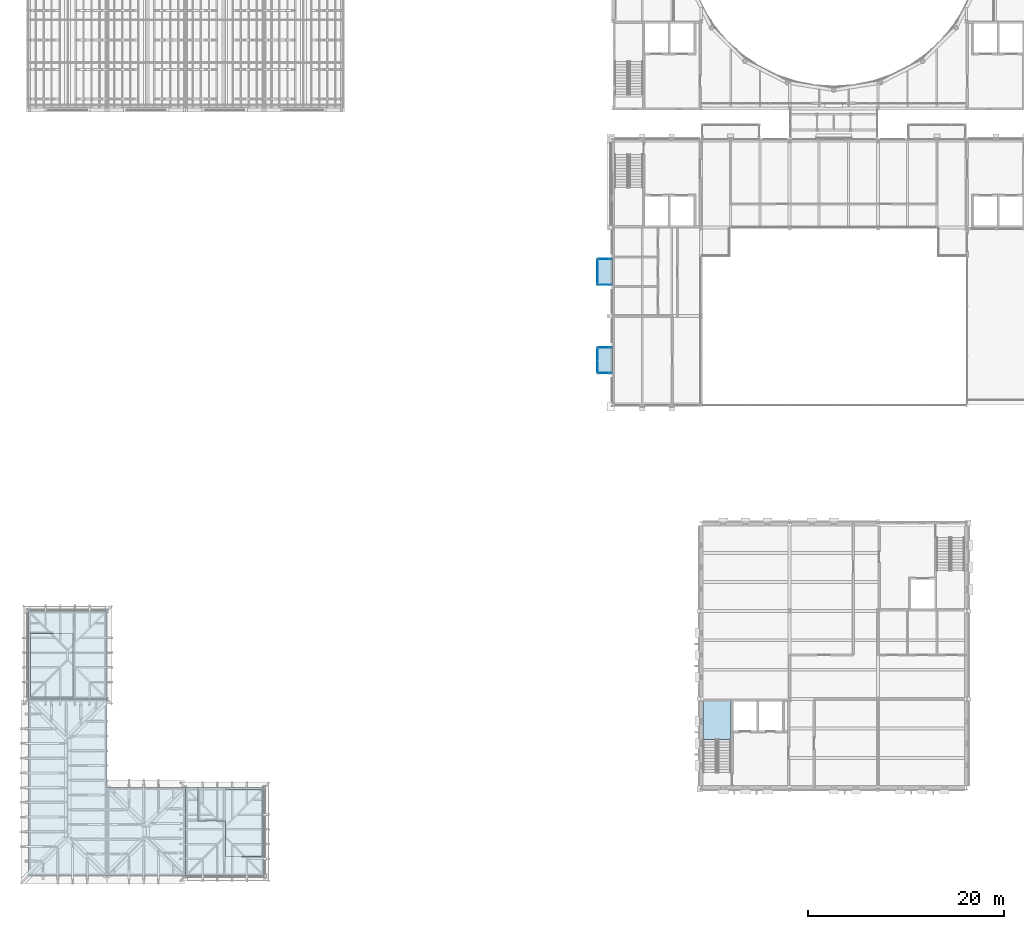
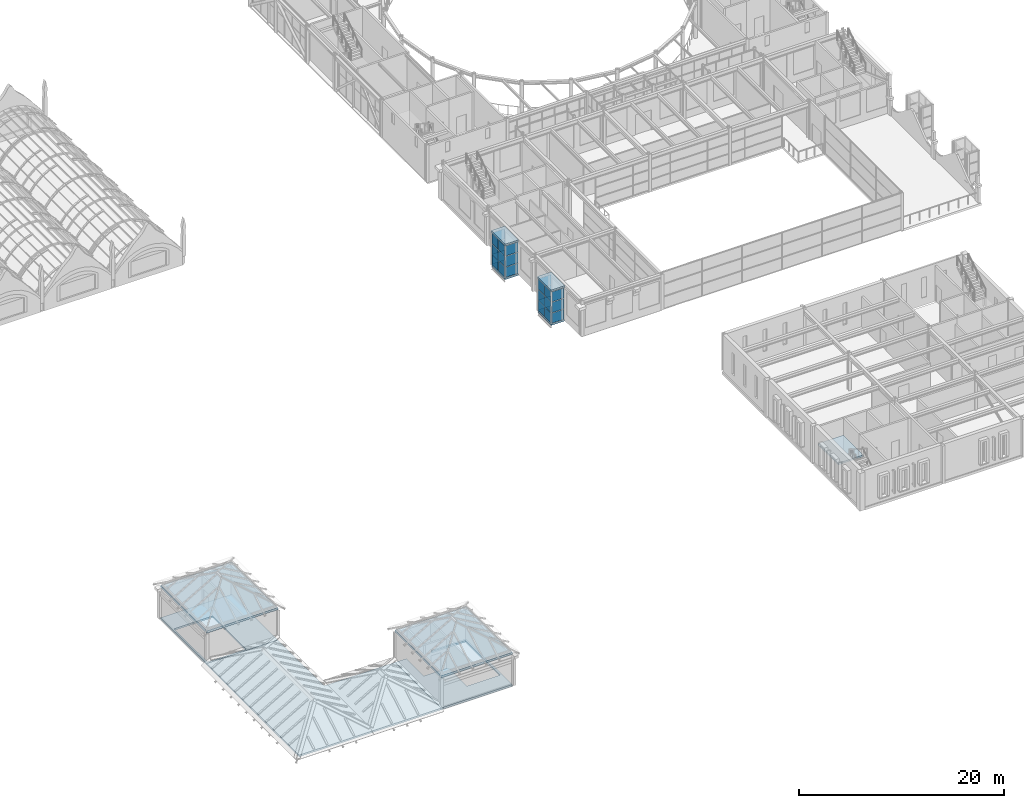
# One storey, part 57 of 111: 24 plates, 10 slabs, 7 elements without a shape of their own.
"""IFC4 building model written with IfcOpenShell, lengths in metres."""

from ifc_helpers import new_model, si_unit, direction, frame, origin, origin_2d, place, context, subcontext, project, spatial, polyline, rectangle, outline, extrude, material, layer, layer_set, type_object, element, aggregate, save


model = new_model("IFC4")

# Units and contexts
model_context = context("Model", 3, precision=1e-05, world=origin(), true_north=direction((0.0, 1.0)))
body_context = subcontext(model_context, "Body", "Model", "MODEL_VIEW")
ifc_project = project(units=[si_unit("LENGTHUNIT", "METRE"), si_unit("AREAUNIT", "SQUARE_METRE"), si_unit("VOLUMEUNIT", "CUBIC_METRE"), si_unit("PLANEANGLEUNIT", "RADIAN"), si_unit("MASSUNIT", "GRAM", prefix="KILO")], contexts=[model_context])

# Site, building, storey
site_placement = place(None, origin())
site = spatial("IfcSite", under=ifc_project, at=site_placement, CompositionType="ELEMENT")
building_placement = place(site_placement, origin())
building = spatial("IfcBuilding", under=site, at=building_placement, Name="Kallimachos Central Library", CompositionType="ELEMENT")
storey_placement = place(building_placement, frame((0.0, 0.0, 14.39990234375)))
storey = spatial("IfcBuildingStorey", under=building, at=storey_placement, Name="L03", CompositionType="ELEMENT", Elevation=14.39990234375)

# Slabs
ifc_material_1 = material(Name="Composite slab C30/37 on steel deck", Category="concrete")
ifc_layer_1 = layer(ifc_material_1, 0.199951171875)
ifc_layer_set_1 = layer_set([ifc_layer_1], Name="Attic deck slab 200")
slab_type_1 = type_object("IfcSlabType", Name="Attic deck slab 200", PredefinedType="ROOF", material=ifc_layer_set_1)
slab_1_placement = place(storey_placement, frame((0.0, 0.0, -0.199951171875)))
element("IfcSlab", 1, at=slab_1_placement, inside=storey, type_object=slab_type_1, Name="Attic deck", PredefinedType="ROOF", context=body_context, shape_type="SweptSolid", body=[
    extrude(outline(polyline([(6.0, 9.0), (22.0, 9.0), (22.0, 18.0), (14.0, 18.0), (14.0, 27.0), (6.0, 27.0), (6.0, 9.0)])), origin(), (0.0, 0.0, 1.0), 0.199951171875),
])
ifc_material_2 = material(Name="Composite slab C30/37 on steel deck", Category="concrete")
ifc_layer_2 = layer(ifc_material_2, 0.199951171875)
ifc_layer_set_2 = layer_set([ifc_layer_2], Name="Core floor slab 200")
slab_type_2 = type_object("IfcSlabType", Name="Core floor slab 200", PredefinedType="FLOOR", material=ifc_layer_set_2)
slab_2_placement = place(storey_placement, frame((0.0, 0.0, -0.199951171875)))
element("IfcSlab", 2, at=slab_2_placement, inside=storey, type_object=slab_type_2, Name="Core landing SE", PredefinedType="FLOOR", context=body_context, shape_type="SweptSolid", body=[
    extrude(outline(polyline([(23.25, 18.0), (23.25, 14.60009765625), (26.050048828125, 14.60009765625), (26.050048828125, 11.00390625), (29.800048828125, 11.00390625), (29.800048828125, 17.800048828125), (26.050048828125, 17.800048828125), (26.050048828125, 18.0), (30.0, 18.0), (30.0, 9.0), (22.0, 9.0), (22.0, 18.0), (23.25, 18.0)])), origin(), (0.0, 0.0, 1.0), 0.199951171875),
])
slab_3_placement = place(storey_placement, frame((0.0, 0.0, -0.199951171875)))
element("IfcSlab", 3, at=slab_3_placement, inside=storey, type_object=slab_type_2, Name="Core landing NW", PredefinedType="FLOOR", context=body_context, shape_type="SweptSolid", body=[
    extrude(outline(polyline([(14.0, 27.0), (6.0, 27.0), (6.0, 36.0), (14.0, 36.0), (14.0, 27.0)]), holes=[polyline([(10.550048828125, 33.696044921875), (6.199951171875, 33.696044921875), (6.199951171875, 27.199951171875), (10.550048828125, 27.199951171875), (10.550048828125, 33.696044921875)])]), origin(), (0.0, 0.0, 1.0), 0.199951171875),
])
ifc_material_3 = material(Name="Concrete C30/37", Category="concrete")
ifc_layer_3 = layer(ifc_material_3, 0.25)
ifc_layer_set_3 = layer_set([ifc_layer_3], Name="Head-house roof slab 250")
slab_type_3 = type_object("IfcSlabType", Name="Head-house roof slab 250", PredefinedType="ROOF", material=ifc_layer_set_3)
slab_4_placement = place(storey_placement, frame((0.0, 0.0, 3.60009765625)))
element("IfcSlab", 4, at=slab_4_placement, inside=storey, type_object=slab_type_3, Name="Head-house roof SE", PredefinedType="ROOF", context=body_context, shape_type="SweptSolid", body=[
    extrude(outline(polyline([(22.0, 9.0), (30.0, 9.0), (30.0, 18.0), (22.0, 18.0), (22.0, 9.0)])), origin(), (0.0, 0.0, 1.0), 0.25),
])
slab_5_placement = place(storey_placement, frame((0.0, 0.0, 3.60009765625)))
element("IfcSlab", 5, at=slab_5_placement, inside=storey, type_object=slab_type_3, Name="Head-house roof NW", PredefinedType="ROOF", context=body_context, shape_type="SweptSolid", body=[
    extrude(outline(polyline([(6.0, 27.0), (14.0, 27.0), (14.0, 36.0), (6.0, 36.0), (6.0, 27.0)])), origin(), (0.0, 0.0, 1.0), 0.25),
])

# Stair, slab
ifc_material_4 = material(Name="Concrete C30/37", Category="concrete")
stair_type = type_object("IfcStairType", Name="Concrete stair 1350", PredefinedType="HALF_TURN_STAIR", material=ifc_material_4)
stair_placement = place(storey_placement, origin())
stair = element("IfcStair", 6, at=stair_placement, inside=storey, type_object=stair_type, Name="L03 stair ST13", PredefinedType="HALF_TURN_STAIR")
ifc_material_5 = material(Name="Concrete C30/37", Category="concrete")
ifc_layer_4 = layer(ifc_material_5, 0.199951171875)
ifc_layer_set_4 = layer_set([ifc_layer_4], Name="Stair landing slab 200")
slab_type_4 = type_object("IfcSlabType", Name="Stair landing slab 200", PredefinedType="LANDING", material=ifc_layer_set_4)
slab_6_placement = place(storey_placement, frame((0.0, 0.0, 2.050048828125)))
slab_6 = element("IfcSlab", 7, at=slab_6_placement, type_object=slab_type_4, Name="ST13 landing 1", PredefinedType="LANDING", context=body_context, shape_type="SweptSolid", body=[
    extrude(outline(polyline([(77.550048828125, 22.909912109375), (77.550048828125, 26.800048828125), (74.699951171875, 26.800048828125), (74.699951171875, 22.909912109375), (77.550048828125, 22.909912109375)])), origin(), (0.0, 0.0, 1.0), 0.199951171875),
])
aggregate(stair, [slab_6])

# Slabs
ifc_material_6 = material(Name="Composite slab C30/37 on steel deck", Category="concrete")
ifc_layer_5 = layer(ifc_material_6, 0.199951171875)
ifc_layer_set_5 = layer_set([ifc_layer_5], Name="Tribune bay floor slab 200")
slab_type_5 = type_object("IfcSlabType", Name="Tribune bay floor slab 200", PredefinedType="FLOOR", material=ifc_layer_set_5)
slab_7_placement = place(storey_placement, frame((0.0, 0.0, -0.199951171875)))
element("IfcSlab", 8, at=slab_7_placement, inside=storey, type_object=slab_type_5, Name="Tribune bay W1 floor L03", PredefinedType="FLOOR", context=body_context, shape_type="SweptSolid", body=[
    extrude(outline(polyline([(65.449951171875, 60.199951171875), (65.449951171875, 62.800048828125), (63.949951171875, 62.800048828125), (63.949951171875, 60.199951171875), (65.449951171875, 60.199951171875)])), origin(), (0.0, 0.0, 1.0), 0.199951171875),
])
slab_8_placement = place(storey_placement, frame((0.0, 0.0, -0.199951171875)))
element("IfcSlab", 9, at=slab_8_placement, inside=storey, type_object=slab_type_5, Name="Tribune bay W2 floor L03", PredefinedType="FLOOR", context=body_context, shape_type="SweptSolid", body=[
    extrude(outline(polyline([(65.449951171875, 69.199951171875), (65.449951171875, 71.800048828125), (63.949951171875, 71.800048828125), (63.949951171875, 69.199951171875), (65.449951171875, 69.199951171875)])), origin(), (0.0, 0.0, 1.0), 0.199951171875),
])

# Curtain wall, plates
ifc_material_7 = material(Name="Aluminium and laminated glass", Category="aluminium")
curtain_wall_type = type_object("IfcCurtainWallType", Name="Tribune bay glazed screen", PredefinedType="NOTDEFINED", material=ifc_material_7)
curtain_wall_1_placement = place(storey_placement, origin())
curtain_wall_1 = element("IfcCurtainWall", 10, at=curtain_wall_1_placement, inside=storey, type_object=curtain_wall_type, Name="Tribune bay W1 L03 front", PredefinedType="NOTDEFINED")
ifc_material_8 = material(Name="Laminated glass", Category="glass")
ifc_layer_6 = layer(ifc_material_8, 0.028076171875)
ifc_layer_set_6 = layer_set([ifc_layer_6], Name="Tribune bay glass panel")
plate_type = type_object("IfcPlateType", Name="Tribune bay glass panel", PredefinedType="CURTAIN_PANEL", material=ifc_layer_set_6)
plate_1_placement = place(storey_placement, frame((63.949951171875, 60.864990234375, 0.06005859375), z_axis=(0.0, 0.0, 1.0), x_axis=(0.0, 1.0, 0.0)))
plate_1 = element("IfcPlate", 11, at=plate_1_placement, type_object=plate_type, Name="CW panel 1.1", PredefinedType="CURTAIN_PANEL", context=body_context, shape_type="SweptSolid", body=[
    extrude(rectangle(XDim=1.2099609375, YDim=0.028076171875, at=origin_2d()), origin(), (0.0, 0.0, 1.0), 1.193359375),
])
plate_2_placement = place(storey_placement, frame((63.949951171875, 60.864990234375, 1.3134765625), z_axis=(0.0, 0.0, 1.0), x_axis=(0.0, 1.0, 0.0)))
plate_2 = element("IfcPlate", 12, at=plate_2_placement, type_object=plate_type, Name="CW panel 1.2", PredefinedType="CURTAIN_PANEL", context=body_context, shape_type="SweptSolid", body=[
    extrude(rectangle(XDim=1.2099609375, YDim=0.028076171875, at=origin_2d()), origin(), (0.0, 0.0, 1.0), 1.223388671875),
])
plate_3_placement = place(storey_placement, frame((63.949951171875, 60.864990234375, 2.5966796875), z_axis=(0.0, 0.0, 1.0), x_axis=(0.0, 1.0, 0.0)))
plate_3 = element("IfcPlate", 13, at=plate_3_placement, type_object=plate_type, Name="CW panel 1.3", PredefinedType="CURTAIN_PANEL", context=body_context, shape_type="SweptSolid", body=[
    extrude(rectangle(XDim=1.2099609375, YDim=0.028076171875, at=origin_2d()), origin(), (0.0, 0.0, 1.0), 1.193359375),
])
plate_4_placement = place(storey_placement, frame((63.949951171875, 62.135009765625, 0.06005859375), z_axis=(0.0, 0.0, 1.0), x_axis=(0.0, 1.0, 0.0)))
plate_4 = element("IfcPlate", 14, at=plate_4_placement, type_object=plate_type, Name="CW panel 2.1", PredefinedType="CURTAIN_PANEL", context=body_context, shape_type="SweptSolid", body=[
    extrude(rectangle(XDim=1.2099609375, YDim=0.028076171875, at=origin_2d()), origin(), (0.0, 0.0, 1.0), 1.193359375),
])
plate_5_placement = place(storey_placement, frame((63.949951171875, 62.135009765625, 1.3134765625), z_axis=(0.0, 0.0, 1.0), x_axis=(0.0, 1.0, 0.0)))
plate_5 = element("IfcPlate", 15, at=plate_5_placement, type_object=plate_type, Name="CW panel 2.2", PredefinedType="CURTAIN_PANEL", context=body_context, shape_type="SweptSolid", body=[
    extrude(rectangle(XDim=1.2099609375, YDim=0.028076171875, at=origin_2d()), origin(), (0.0, 0.0, 1.0), 1.223388671875),
])
plate_6_placement = place(storey_placement, frame((63.949951171875, 62.135009765625, 2.5966796875), z_axis=(0.0, 0.0, 1.0), x_axis=(0.0, 1.0, 0.0)))
plate_6 = element("IfcPlate", 16, at=plate_6_placement, type_object=plate_type, Name="CW panel 2.3", PredefinedType="CURTAIN_PANEL", context=body_context, shape_type="SweptSolid", body=[
    extrude(rectangle(XDim=1.2099609375, YDim=0.028076171875, at=origin_2d()), origin(), (0.0, 0.0, 1.0), 1.193359375),
])
aggregate(curtain_wall_1, [plate_1, plate_2, plate_3, plate_4, plate_5, plate_6])

curtain_wall_2_placement = place(storey_placement, origin())
curtain_wall_2 = element("IfcCurtainWall", 17, at=curtain_wall_2_placement, inside=storey, type_object=curtain_wall_type, Name="Tribune bay W1 L03 return 1", PredefinedType="NOTDEFINED")
plate_7_placement = place(storey_placement, frame((64.699951171875, 60.199951171875, 0.06005859375), z_axis=(0.0, 0.0, 1.0), x_axis=(-1.0, 0.0, 0.0)))
plate_7 = element("IfcPlate", 18, at=plate_7_placement, type_object=plate_type, Name="CW panel 1.1", PredefinedType="CURTAIN_PANEL", context=body_context, shape_type="SweptSolid", body=[
    extrude(rectangle(XDim=1.3798828125, YDim=0.028076171875, at=origin_2d()), origin(), (0.0, 0.0, 1.0), 1.193359375),
])
plate_8_placement = place(storey_placement, frame((64.699951171875, 60.199951171875, 1.3134765625), z_axis=(0.0, 0.0, 1.0), x_axis=(-1.0, 0.0, 0.0)))
plate_8 = element("IfcPlate", 19, at=plate_8_placement, type_object=plate_type, Name="CW panel 1.2", PredefinedType="CURTAIN_PANEL", context=body_context, shape_type="SweptSolid", body=[
    extrude(rectangle(XDim=1.3798828125, YDim=0.028076171875, at=origin_2d()), origin(), (0.0, 0.0, 1.0), 1.223388671875),
])
plate_9_placement = place(storey_placement, frame((64.699951171875, 60.199951171875, 2.5966796875), z_axis=(0.0, 0.0, 1.0), x_axis=(-1.0, 0.0, 0.0)))
plate_9 = element("IfcPlate", 20, at=plate_9_placement, type_object=plate_type, Name="CW panel 1.3", PredefinedType="CURTAIN_PANEL", context=body_context, shape_type="SweptSolid", body=[
    extrude(rectangle(XDim=1.3798828125, YDim=0.028076171875, at=origin_2d()), origin(), (0.0, 0.0, 1.0), 1.193359375),
])
aggregate(curtain_wall_2, [plate_7, plate_8, plate_9])

curtain_wall_3_placement = place(storey_placement, origin())
curtain_wall_3 = element("IfcCurtainWall", 21, at=curtain_wall_3_placement, inside=storey, type_object=curtain_wall_type, Name="Tribune bay W1 L03 return 2", PredefinedType="NOTDEFINED")
plate_10_placement = place(storey_placement, frame((64.699951171875, 62.800048828125, 0.06005859375), z_axis=(0.0, 0.0, 1.0), x_axis=(-1.0, 0.0, 0.0)))
plate_10 = element("IfcPlate", 22, at=plate_10_placement, type_object=plate_type, Name="CW panel 1.1", PredefinedType="CURTAIN_PANEL", context=body_context, shape_type="SweptSolid", body=[
    extrude(rectangle(XDim=1.3798828125, YDim=0.028076171875, at=origin_2d()), origin(), (0.0, 0.0, 1.0), 1.193359375),
])
plate_11_placement = place(storey_placement, frame((64.699951171875, 62.800048828125, 1.3134765625), z_axis=(0.0, 0.0, 1.0), x_axis=(-1.0, 0.0, 0.0)))
plate_11 = element("IfcPlate", 23, at=plate_11_placement, type_object=plate_type, Name="CW panel 1.2", PredefinedType="CURTAIN_PANEL", context=body_context, shape_type="SweptSolid", body=[
    extrude(rectangle(XDim=1.3798828125, YDim=0.028076171875, at=origin_2d()), origin(), (0.0, 0.0, 1.0), 1.223388671875),
])
plate_12_placement = place(storey_placement, frame((64.699951171875, 62.800048828125, 2.5966796875), z_axis=(0.0, 0.0, 1.0), x_axis=(-1.0, 0.0, 0.0)))
plate_12 = element("IfcPlate", 24, at=plate_12_placement, type_object=plate_type, Name="CW panel 1.3", PredefinedType="CURTAIN_PANEL", context=body_context, shape_type="SweptSolid", body=[
    extrude(rectangle(XDim=1.3798828125, YDim=0.028076171875, at=origin_2d()), origin(), (0.0, 0.0, 1.0), 1.193359375),
])
aggregate(curtain_wall_3, [plate_10, plate_11, plate_12])

curtain_wall_4_placement = place(storey_placement, origin())
curtain_wall_4 = element("IfcCurtainWall", 25, at=curtain_wall_4_placement, inside=storey, type_object=curtain_wall_type, Name="Tribune bay W2 L03 front", PredefinedType="NOTDEFINED")
plate_13_placement = place(storey_placement, frame((63.949951171875, 69.864990234375, 0.06005859375), z_axis=(0.0, 0.0, 1.0), x_axis=(0.0, 1.0, 0.0)))
plate_13 = element("IfcPlate", 26, at=plate_13_placement, type_object=plate_type, Name="CW panel 1.1", PredefinedType="CURTAIN_PANEL", context=body_context, shape_type="SweptSolid", body=[
    extrude(rectangle(XDim=1.2099609375, YDim=0.028076171875, at=origin_2d()), origin(), (0.0, 0.0, 1.0), 1.193359375),
])
plate_14_placement = place(storey_placement, frame((63.949951171875, 69.864990234375, 1.3134765625), z_axis=(0.0, 0.0, 1.0), x_axis=(0.0, 1.0, 0.0)))
plate_14 = element("IfcPlate", 27, at=plate_14_placement, type_object=plate_type, Name="CW panel 1.2", PredefinedType="CURTAIN_PANEL", context=body_context, shape_type="SweptSolid", body=[
    extrude(rectangle(XDim=1.2099609375, YDim=0.028076171875, at=origin_2d()), origin(), (0.0, 0.0, 1.0), 1.223388671875),
])
plate_15_placement = place(storey_placement, frame((63.949951171875, 69.864990234375, 2.5966796875), z_axis=(0.0, 0.0, 1.0), x_axis=(0.0, 1.0, 0.0)))
plate_15 = element("IfcPlate", 28, at=plate_15_placement, type_object=plate_type, Name="CW panel 1.3", PredefinedType="CURTAIN_PANEL", context=body_context, shape_type="SweptSolid", body=[
    extrude(rectangle(XDim=1.2099609375, YDim=0.028076171875, at=origin_2d()), origin(), (0.0, 0.0, 1.0), 1.193359375),
])
plate_16_placement = place(storey_placement, frame((63.949951171875, 71.135009765625, 0.06005859375), z_axis=(0.0, 0.0, 1.0), x_axis=(0.0, 1.0, 0.0)))
plate_16 = element("IfcPlate", 29, at=plate_16_placement, type_object=plate_type, Name="CW panel 2.1", PredefinedType="CURTAIN_PANEL", context=body_context, shape_type="SweptSolid", body=[
    extrude(rectangle(XDim=1.2099609375, YDim=0.028076171875, at=origin_2d()), origin(), (0.0, 0.0, 1.0), 1.193359375),
])
plate_17_placement = place(storey_placement, frame((63.949951171875, 71.135009765625, 1.3134765625), z_axis=(0.0, 0.0, 1.0), x_axis=(0.0, 1.0, 0.0)))
plate_17 = element("IfcPlate", 30, at=plate_17_placement, type_object=plate_type, Name="CW panel 2.2", PredefinedType="CURTAIN_PANEL", context=body_context, shape_type="SweptSolid", body=[
    extrude(rectangle(XDim=1.2099609375, YDim=0.028076171875, at=origin_2d()), origin(), (0.0, 0.0, 1.0), 1.223388671875),
])
plate_18_placement = place(storey_placement, frame((63.949951171875, 71.135009765625, 2.5966796875), z_axis=(0.0, 0.0, 1.0), x_axis=(0.0, 1.0, 0.0)))
plate_18 = element("IfcPlate", 31, at=plate_18_placement, type_object=plate_type, Name="CW panel 2.3", PredefinedType="CURTAIN_PANEL", context=body_context, shape_type="SweptSolid", body=[
    extrude(rectangle(XDim=1.2099609375, YDim=0.028076171875, at=origin_2d()), origin(), (0.0, 0.0, 1.0), 1.193359375),
])
aggregate(curtain_wall_4, [plate_13, plate_14, plate_15, plate_16, plate_17, plate_18])

curtain_wall_5_placement = place(storey_placement, origin())
curtain_wall_5 = element("IfcCurtainWall", 32, at=curtain_wall_5_placement, inside=storey, type_object=curtain_wall_type, Name="Tribune bay W2 L03 return 1", PredefinedType="NOTDEFINED")
plate_19_placement = place(storey_placement, frame((64.699951171875, 69.199951171875, 0.06005859375), z_axis=(0.0, 0.0, 1.0), x_axis=(-1.0, 0.0, 0.0)))
plate_19 = element("IfcPlate", 33, at=plate_19_placement, type_object=plate_type, Name="CW panel 1.1", PredefinedType="CURTAIN_PANEL", context=body_context, shape_type="SweptSolid", body=[
    extrude(rectangle(XDim=1.3798828125, YDim=0.028076171875, at=origin_2d()), origin(), (0.0, 0.0, 1.0), 1.193359375),
])
plate_20_placement = place(storey_placement, frame((64.699951171875, 69.199951171875, 1.3134765625), z_axis=(0.0, 0.0, 1.0), x_axis=(-1.0, 0.0, 0.0)))
plate_20 = element("IfcPlate", 34, at=plate_20_placement, type_object=plate_type, Name="CW panel 1.2", PredefinedType="CURTAIN_PANEL", context=body_context, shape_type="SweptSolid", body=[
    extrude(rectangle(XDim=1.3798828125, YDim=0.028076171875, at=origin_2d()), origin(), (0.0, 0.0, 1.0), 1.223388671875),
])
plate_21_placement = place(storey_placement, frame((64.699951171875, 69.199951171875, 2.5966796875), z_axis=(0.0, 0.0, 1.0), x_axis=(-1.0, 0.0, 0.0)))
plate_21 = element("IfcPlate", 35, at=plate_21_placement, type_object=plate_type, Name="CW panel 1.3", PredefinedType="CURTAIN_PANEL", context=body_context, shape_type="SweptSolid", body=[
    extrude(rectangle(XDim=1.3798828125, YDim=0.028076171875, at=origin_2d()), origin(), (0.0, 0.0, 1.0), 1.193359375),
])
aggregate(curtain_wall_5, [plate_19, plate_20, plate_21])

curtain_wall_6_placement = place(storey_placement, origin())
curtain_wall_6 = element("IfcCurtainWall", 36, at=curtain_wall_6_placement, inside=storey, type_object=curtain_wall_type, Name="Tribune bay W2 L03 return 2", PredefinedType="NOTDEFINED")
plate_22_placement = place(storey_placement, frame((64.699951171875, 71.800048828125, 0.06005859375), z_axis=(0.0, 0.0, 1.0), x_axis=(-1.0, 0.0, 0.0)))
plate_22 = element("IfcPlate", 37, at=plate_22_placement, type_object=plate_type, Name="CW panel 1.1", PredefinedType="CURTAIN_PANEL", context=body_context, shape_type="SweptSolid", body=[
    extrude(rectangle(XDim=1.3798828125, YDim=0.028076171875, at=origin_2d()), origin(), (0.0, 0.0, 1.0), 1.193359375),
])
plate_23_placement = place(storey_placement, frame((64.699951171875, 71.800048828125, 1.3134765625), z_axis=(0.0, 0.0, 1.0), x_axis=(-1.0, 0.0, 0.0)))
plate_23 = element("IfcPlate", 38, at=plate_23_placement, type_object=plate_type, Name="CW panel 1.2", PredefinedType="CURTAIN_PANEL", context=body_context, shape_type="SweptSolid", body=[
    extrude(rectangle(XDim=1.3798828125, YDim=0.028076171875, at=origin_2d()), origin(), (0.0, 0.0, 1.0), 1.223388671875),
])
plate_24_placement = place(storey_placement, frame((64.699951171875, 71.800048828125, 2.5966796875), z_axis=(0.0, 0.0, 1.0), x_axis=(-1.0, 0.0, 0.0)))
plate_24 = element("IfcPlate", 39, at=plate_24_placement, type_object=plate_type, Name="CW panel 1.3", PredefinedType="CURTAIN_PANEL", context=body_context, shape_type="SweptSolid", body=[
    extrude(rectangle(XDim=1.3798828125, YDim=0.028076171875, at=origin_2d()), origin(), (0.0, 0.0, 1.0), 1.193359375),
])
aggregate(curtain_wall_6, [plate_22, plate_23, plate_24])

# Slabs
ifc_material_9 = material(Name="Composite slab C30/37 on steel deck", Category="concrete")
ifc_layer_7 = layer(ifc_material_9, 0.199951171875)
ifc_layer_set_7 = layer_set([ifc_layer_7], Name="Tribune bay roof slab 200")
slab_type_6 = type_object("IfcSlabType", Name="Tribune bay roof slab 200", PredefinedType="ROOF", material=ifc_layer_set_7)
slab_9_placement = place(storey_placement, frame((0.0, 0.0, 3.85009765625)))
element("IfcSlab", 40, at=slab_9_placement, inside=storey, type_object=slab_type_6, Name="Tribune bay W1 roof", PredefinedType="ROOF", context=body_context, shape_type="SweptSolid", body=[
    extrude(outline(polyline([(65.449951171875, 60.14990234375), (65.449951171875, 62.85009765625), (63.89990234375, 62.85009765625), (63.89990234375, 60.14990234375), (65.449951171875, 60.14990234375)])), origin(), (0.0, 0.0, 1.0), 0.199951171875),
])
slab_10_placement = place(storey_placement, frame((0.0, 0.0, 3.85009765625)))
element("IfcSlab", 41, at=slab_10_placement, inside=storey, type_object=slab_type_6, Name="Tribune bay W2 roof", PredefinedType="ROOF", context=body_context, shape_type="SweptSolid", body=[
    extrude(outline(polyline([(65.449951171875, 69.14990234375), (65.449951171875, 71.85009765625), (63.89990234375, 71.85009765625), (63.89990234375, 69.14990234375), (65.449951171875, 69.14990234375)])), origin(), (0.0, 0.0, 1.0), 0.199951171875),
])

save(model, "model.ifc")
